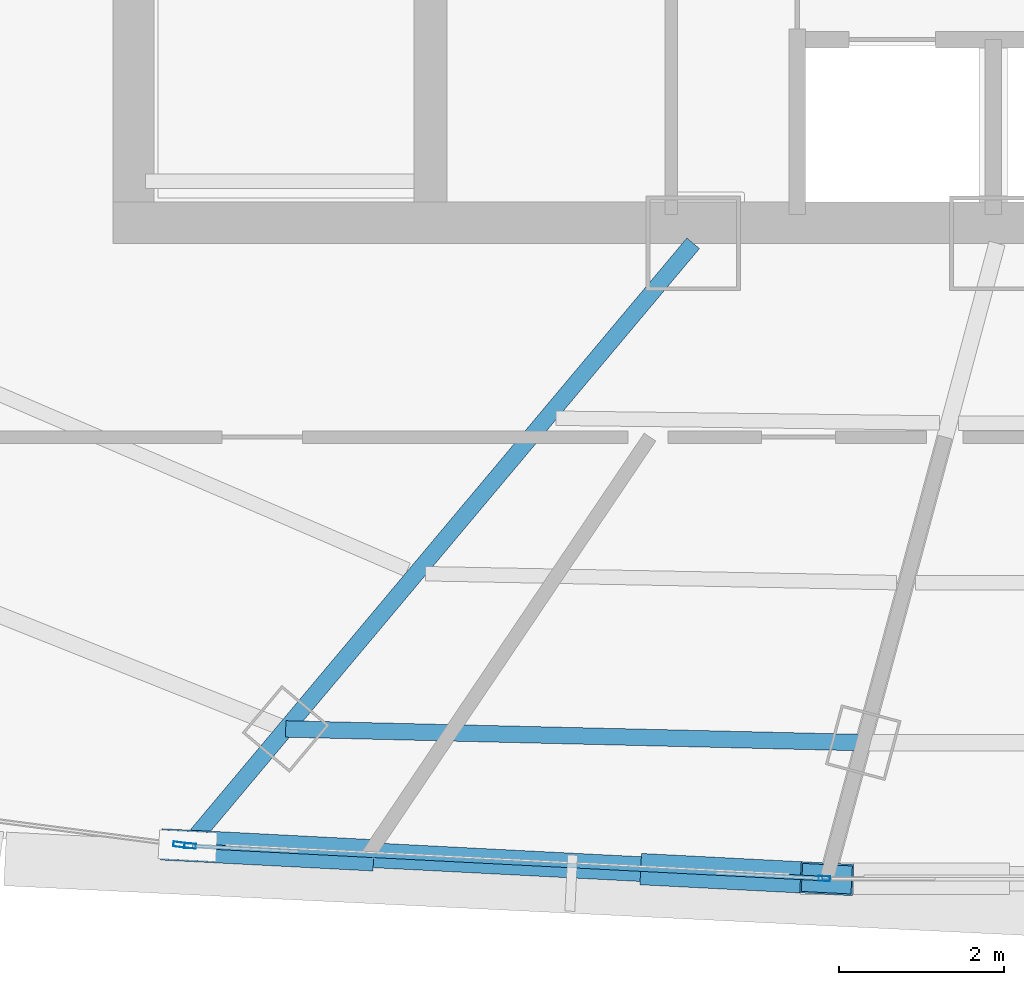
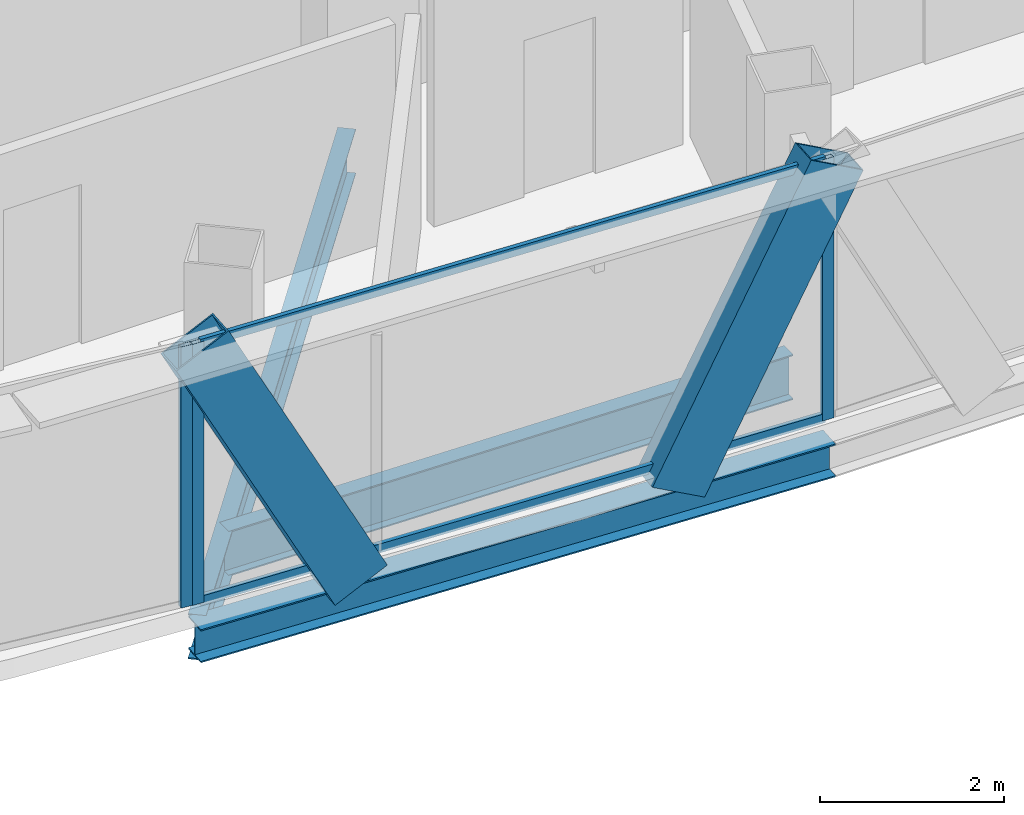
# One storey, part 6 of 35: 7 members, 3 beams, 2 elements without a shape of their own.
"""IFC4 building model written with IfcOpenShell, lengths in metres."""

from ifc_helpers import new_model, si_unit, direction, frame, origin, origin_2d, place, context, subcontext, project, spatial, hollow_rectangle, i_section, extrude, source, transform, mapped, material, layer, layer_set, material_profile, profile_set, type_object, element, aggregate, save


model = new_model("IFC4")

# Units and contexts
model_context = context("Model", 3, precision=1e-05, world=origin(), true_north=direction((0.0, 1.0)))
body_context = subcontext(model_context, "Body", "Model", "MODEL_VIEW")
ifc_project = project(units=[si_unit("LENGTHUNIT", "METRE"), si_unit("AREAUNIT", "SQUARE_METRE"), si_unit("VOLUMEUNIT", "CUBIC_METRE"), si_unit("PLANEANGLEUNIT", "RADIAN"), si_unit("MASSUNIT", "GRAM", prefix="KILO"), si_unit("THERMODYNAMICTEMPERATUREUNIT", "KELVIN"), si_unit("POWERUNIT", "WATT")], contexts=[model_context])

# Site, building, storey
site_placement = place(None, origin())
site = spatial("IfcSite", under=ifc_project, at=site_placement, CompositionType="ELEMENT")
building_placement = place(site_placement, origin())
building = spatial("IfcBuilding", under=site, at=building_placement, Name="Yunzhuo Pagoda Commons", CompositionType="ELEMENT")
storey_placement = place(building_placement, frame((0.0, 0.0, 299.93994140625)))
storey = spatial("IfcBuildingStorey", under=building, at=storey_placement, Name="L75", CompositionType="ELEMENT", Elevation=299.93994140625)

# Beams
ifc_material_1 = material(Name="Structural steel Q355B", Category="steel")
ifc_material_profile_1 = material_profile(ifc_material_1, i_section(OverallWidth=0.199951171875, OverallDepth=0.60009765625, WebThickness=0.010986328125, FlangeThickness=0.01708984375, at=origin_2d()), Name="Structural steel Q355B")
ifc_profile_set_1 = profile_set([ifc_material_profile_1], Name="Structural steel Q355B")
beam_type_1 = type_object("IfcBeamType", Name="B-RG3 Beam HN 600x200x11x17", PredefinedType="BEAM", material=ifc_profile_set_1)
shared_shape_1 = source(origin(), body_context, "Body", "SweptSolid", [
    extrude(i_section(OverallWidth=0.199951171875, OverallDepth=0.60009765625, WebThickness=0.010986328125, FlangeThickness=0.01708984375, at=origin_2d()), origin(), (0.0, 0.0, 1.0), 7.00439453125),
])
beam_1_placement = place(storey_placement, frame((37.64697265625, 21.361572265625, -0.56005859375), z_axis=(0.999719077883, -0.023701588905, 0.0), x_axis=(0.023701588905, 0.999719077883, 0.0)))
element("IfcBeam", 1, at=beam_1_placement, inside=storey, type_object=beam_type_1, Name="L75 column-ring beam 1", PredefinedType="BEAM", context=body_context, shape_type="MappedRepresentation", body=[
    mapped(shared_shape_1, transform((0.0, 0.0, 0.0), scale=1.0)),
])
shared_shape_2 = source(origin(), body_context, "Body", "SweptSolid", [
    extrude(i_section(OverallWidth=0.199951171875, OverallDepth=0.60009765625, WebThickness=0.010986328125, FlangeThickness=0.01708984375, at=origin_2d()), origin(), (0.0, 0.0, 1.0), 9.38037109375),
])
beam_2_placement = place(storey_placement, frame((36.558349609375, 20.064208984375, -0.56005859375), z_axis=(0.64278425807, 0.766047255447, 0.0), x_axis=(-0.766047255447, 0.64278425807, 0.0)))
element("IfcBeam", 2, at=beam_2_placement, inside=storey, type_object=beam_type_1, Name="L75 radial floor girder F1C1", PredefinedType="BEAM", context=body_context, shape_type="MappedRepresentation", body=[
    mapped(shared_shape_2, transform((0.0, 0.0, 0.0), scale=1.0)),
])
ifc_material_profile_2 = material_profile(ifc_material_1, i_section(OverallWidth=0.300048828125, OverallDepth=0.43994140625, WebThickness=0.010986328125, FlangeThickness=0.01806640625, at=origin_2d()), Name="Structural steel Q355B")
ifc_profile_set_2 = profile_set([ifc_material_profile_2], Name="Structural steel Q355B")
beam_type_2 = type_object("IfcBeamType", Name="B-SP2 Beam HM 440x300x11x18", PredefinedType="BEAM", material=ifc_profile_set_2)
shared_shape_3 = source(origin(), body_context, "Body", "SweptSolid", [
    extrude(i_section(OverallWidth=0.300048828125, OverallDepth=0.43994140625, WebThickness=0.010986328125, FlangeThickness=0.01806640625, at=origin_2d()), origin(), (0.0, 0.0, 1.0), 7.759521484375),
])
beam_3_placement = place(storey_placement, frame((36.45849609375, 19.945556640625, -0.47998046875), z_axis=(0.998672725225, -0.05150522199, 0.0), x_axis=(0.05150522199, 0.998672725225, 0.0)))
element("IfcBeam", 3, at=beam_3_placement, inside=storey, type_object=beam_type_2, Name="L75 facade edge spandrel beam F1.1", PredefinedType="BEAM", context=body_context, shape_type="MappedRepresentation", body=[
    mapped(shared_shape_3, transform((0.0, 0.0, 0.0), scale=1.0)),
])

# Members
ifc_material_profile_3 = material_profile(ifc_material_1, hollow_rectangle(XDim=0.3798828125, YDim=0.719970703125, WallThickness=0.02001953125, at=origin_2d()), Name="Structural steel Q355B")
ifc_profile_set_3 = profile_set([ifc_material_profile_3], Name="Structural steel Q355B")
member_type_1 = type_object("IfcMemberType", Name="M-DL3 Brace BOX 720x380x20", PredefinedType="BRACE", material=ifc_profile_set_3)
shared_shape_4 = source(origin(), body_context, "Body", "SweptSolid", [
    extrude(hollow_rectangle(XDim=0.3798828125, YDim=0.719970703125, WallThickness=0.02001953125, at=origin_2d()), origin(), (0.0, 0.0, 1.0), 4.204345703125),
])
for number, where, z_axis, x_axis, name in (
    (4, (38.395751953125, 19.845458984375, -0.260009765625), (-0.460784915353, 0.023808672375, 0.887192430594), (-0.051600981801, -0.998667781936, 0.0), "L75 facade diamond brace F1.1L"),
    (5, (42.270263671875, 19.645751953125, -0.260009765625), (0.460831290203, -0.023749999709, 0.887169915791), (0.051468990499, 0.998674593157, 0.0), "L75 facade diamond brace F1.1R"),
):
    element("IfcMember", number, at=place(storey_placement, frame(where, z_axis=z_axis, x_axis=x_axis)), inside=storey, type_object=member_type_1, Name=name, PredefinedType="BRACE", context=body_context, shape_type="MappedRepresentation", body=[
        mapped(shared_shape_4, transform((0.0, 0.0, 0.0), scale=1.0)),
    ])

# Curtain wall, members
ifc_material_2 = material(Name="Anodized aluminium 6063-T6", Category="aluminium")
ifc_layer = layer(ifc_material_2, 0.139892578125)
ifc_layer_set = layer_set([ifc_layer], Name="Anodized aluminium 6063-T6")
curtain_wall_type = type_object("IfcCurtainWallType", Name="CW-HI High-Zone Ribbon Curtain Wall", PredefinedType="NOTDEFINED", material=ifc_layer_set)
curtain_wall_1_placement = place(storey_placement, origin())
curtain_wall_1 = element("IfcCurtainWall", 6, at=curtain_wall_1_placement, inside=storey, type_object=curtain_wall_type, Name="L75 curtain wall CW-L75-F1B2", PredefinedType="NOTDEFINED")
ifc_material_profile_4 = material_profile(ifc_material_2, hollow_rectangle(XDim=0.06005859375, YDim=0.139892578125, WallThickness=0.00341796875, at=origin_2d()), Name="Anodized aluminium 6063-T6")
ifc_profile_set_4 = profile_set([ifc_material_profile_4], Name="Anodized aluminium 6063-T6")
member_type_2 = type_object("IfcMemberType", Name="CW-HI-M Mullion RHS 140x60x3.5", PredefinedType="MULLION", material=ifc_profile_set_4)
shared_shape_5 = source(origin(), body_context, "Body", "SweptSolid", [
    extrude(hollow_rectangle(XDim=0.06005859375, YDim=0.139892578125, WallThickness=0.00341796875, at=origin_2d()), origin(), (0.0, 0.0, 1.0), 3.469970703125),
])
member_1_placement = place(storey_placement, frame((36.488525390625, 19.94384765625, 0.0), z_axis=(0.0, 0.0, 1.0), x_axis=(0.051461616076, 0.998674973187, 0.0)))
member_1 = element("IfcMember", 7, at=member_1_placement, type_object=member_type_2, Name="CW mullion 1", PredefinedType="MULLION", context=body_context, shape_type="MappedRepresentation", body=[
    mapped(shared_shape_5, transform((0.0, 0.0, 0.0), scale=1.0)),
])
member_2_placement = place(storey_placement, frame((44.177490234375, 19.547607421875, 0.0), z_axis=(0.0, 0.0, 1.0), x_axis=(0.051461616076, 0.998674973187, 0.0)))
member_2 = element("IfcMember", 8, at=member_2_placement, type_object=member_type_2, Name="CW mullion 2", PredefinedType="MULLION", context=body_context, shape_type="MappedRepresentation", body=[
    mapped(shared_shape_5, transform((0.0, 0.0, 0.0), scale=1.0)),
])

# Curtain wall, member
curtain_wall_2_placement = place(storey_placement, origin())
curtain_wall_2 = element("IfcCurtainWall", 9, at=curtain_wall_2_placement, inside=storey, type_object=curtain_wall_type, Name="L75 curtain wall CW-L75-F1B1", PredefinedType="NOTDEFINED")
member_3_placement = place(storey_placement, frame((36.354248046875, 19.958984375, 0.0), z_axis=(0.0, 0.0, 1.0), x_axis=(0.129855071238, 0.991532985066, 0.0)))
member_3 = element("IfcMember", 10, at=member_3_placement, type_object=member_type_2, Name="CW mullion 2", PredefinedType="MULLION", context=body_context, shape_type="MappedRepresentation", body=[
    mapped(shared_shape_5, transform((0.0, 0.0, 0.0), scale=1.0)),
])
aggregate(curtain_wall_2, [member_3])

# Member
ifc_material_profile_5 = material_profile(ifc_material_2, hollow_rectangle(XDim=0.054931640625, YDim=0.1201171875, WallThickness=0.00341796875, at=origin_2d()), Name="Anodized aluminium 6063-T6")
ifc_profile_set_5 = profile_set([ifc_material_profile_5], Name="Anodized aluminium 6063-T6")
member_type_3 = type_object("IfcMemberType", Name="CW-HI-T Transom RHS 120x55x3.5", PredefinedType="USERDEFINED", material=ifc_profile_set_5)
shared_shape_6 = source(origin(), body_context, "Body", "SweptSolid", [
    extrude(hollow_rectangle(XDim=0.054931640625, YDim=0.1201171875, WallThickness=0.00341796875, at=origin_2d()), origin(), (0.0, 0.0, 1.0), 7.638916015625),
])
member_4_placement = place(storey_placement, frame((36.5185546875, 19.942138671875, 0.027587890625), z_axis=(0.998675311763, -0.051455045185, 0.0), x_axis=(0.051455045185, 0.998675311763, 0.0)))
member_4 = element("IfcMember", 11, at=member_4_placement, type_object=member_type_3, Name="CW transom 1.1", ObjectType="TRANSOM", PredefinedType="USERDEFINED", context=body_context, shape_type="MappedRepresentation", body=[
    mapped(shared_shape_6, transform((0.0, 0.0, 0.0), scale=1.0)),
])

member_5_placement = place(storey_placement, frame((36.5185546875, 19.942138671875, 3.442626953125), z_axis=(0.998675311763, -0.051455045185, 0.0), x_axis=(0.051455045185, 0.998675311763, 0.0)))
member_5 = element("IfcMember", 12, at=member_5_placement, type_object=member_type_3, Name="CW transom 1.2", ObjectType="TRANSOM", PredefinedType="USERDEFINED", context=body_context, shape_type="MappedRepresentation", body=[
    mapped(shared_shape_6, transform((0.0, 0.0, 0.0), scale=1.0)),
])

aggregate(curtain_wall_1, [member_1, member_2, member_4, member_5])

save(model, "model.ifc")
